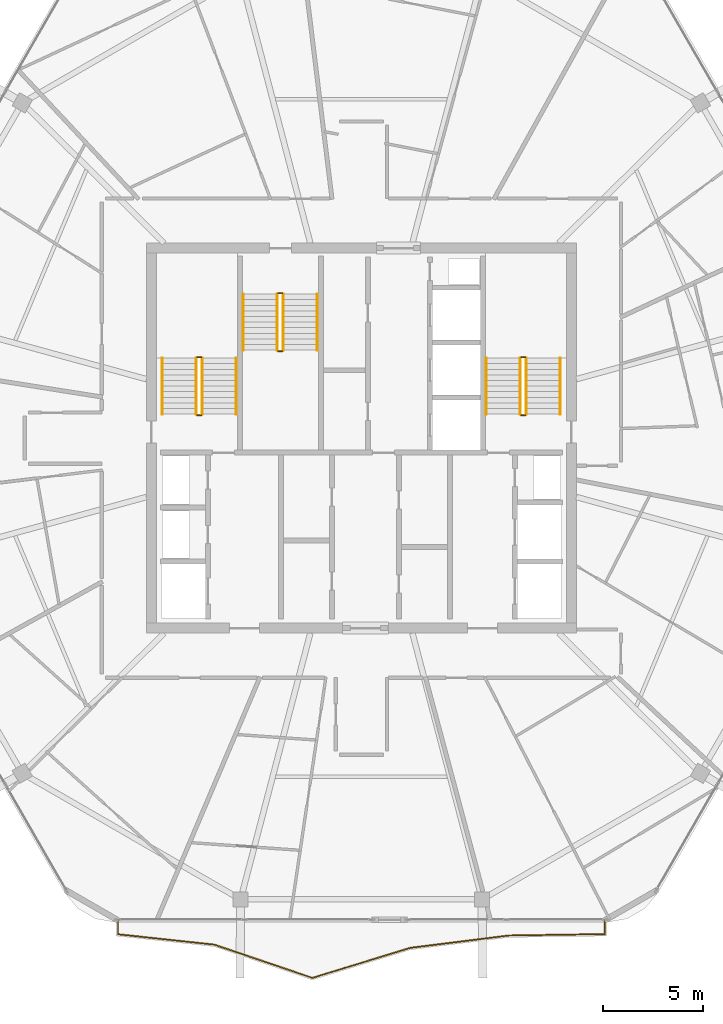
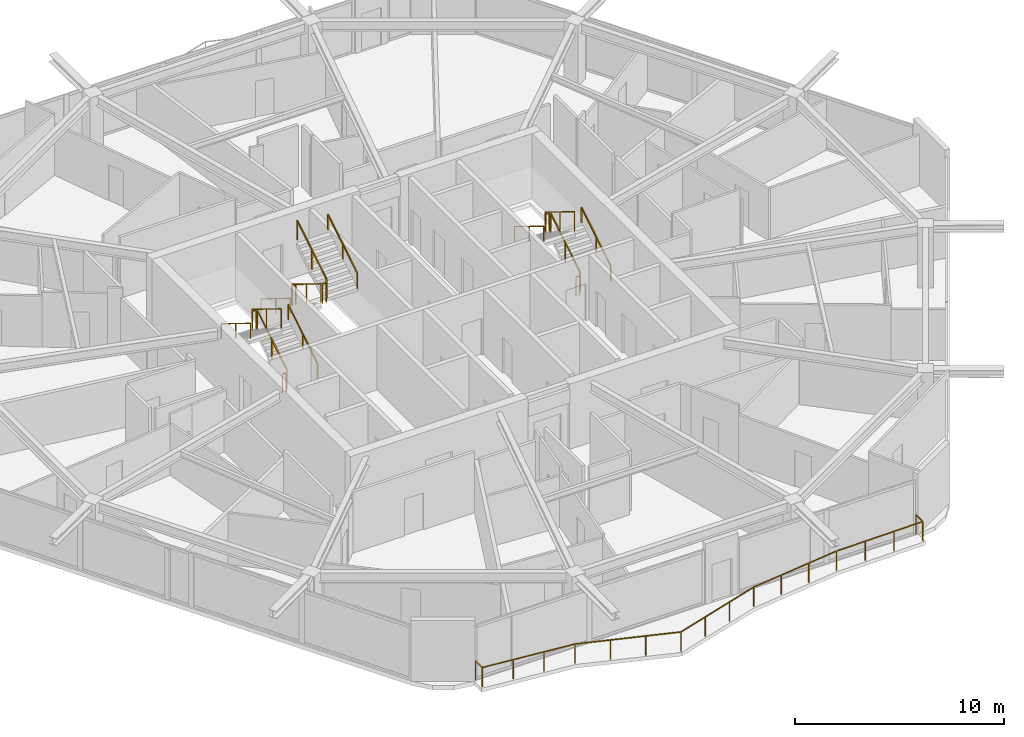
# One storey, part 20 of 21: 19 railings.
"""IFC4 building model written with IfcOpenShell, lengths in metres."""

from ifc_helpers import new_model, si_unit, direction, frame, origin, origin_2d, place, context, subcontext, project, spatial, rectangle, extrude, material, type_object, element, save


model = new_model("IFC4")

# Units and contexts
model_context = context("Model", 3, precision=1e-05, world=origin(), true_north=direction((0.0, 1.0)))
body_context = subcontext(model_context, "Body", "Model", "MODEL_VIEW")
ifc_project = project(units=[si_unit("LENGTHUNIT", "METRE"), si_unit("AREAUNIT", "SQUARE_METRE"), si_unit("VOLUMEUNIT", "CUBIC_METRE"), si_unit("PLANEANGLEUNIT", "RADIAN"), si_unit("MASSUNIT", "GRAM", prefix="KILO")], contexts=[model_context])

# Site, building, storey
site_placement = place(None, origin())
site = spatial("IfcSite", under=ifc_project, at=site_placement, CompositionType="ELEMENT")
building_placement = place(site_placement, origin())
building = spatial("IfcBuilding", under=site, at=building_placement, Name="Zuhravey Tower", CompositionType="ELEMENT")
storey_placement = place(building_placement, frame((0.0, 0.0, 334.800048828125)))
storey = spatial("IfcBuildingStorey", under=building, at=storey_placement, Name="L85", CompositionType="ELEMENT", Elevation=334.800048828125)

# Railings
ifc_material_1 = material(Name="Stainless steel 316 and laminated glass", Category="steel")
railing_type_1 = type_object("IfcRailingType", Name="Balcony & Terrace Guardrail 1150", PredefinedType="BALUSTRADE", material=ifc_material_1)
railing_1_placement = place(storey_placement, frame((48.168212890625, 7.8408203125, 0.0)))
element("IfcRailing", 1, at=railing_1_placement, inside=storey, type_object=railing_type_1, Name="L85 Face 5 Wave Balcony Guardrail GR1", PredefinedType="BALUSTRADE", context=body_context, shape_type="SweptSolid", body=[
    extrude(rectangle(XDim=0.048095703125, YDim=0.048095703125, at=origin_2d()), frame((0.0, -0.001953125, 1.1259765625), z_axis=(0.0, -1.0, 0.0), x_axis=(1.0, 0.0, 0.0)), (0.0, 0.0, 1.0), 0.637451171875),
    extrude(rectangle(XDim=0.048095703125, YDim=0.048095703125, at=origin_2d()), frame((-0.001953125, -0.641357421875, 1.1259765625), z_axis=(-0.999888115128, -0.01495851686, 0.0), x_axis=(0.01495851686, -0.999888115128, 0.0)), (0.0, 0.0, 1.0), 4.810791015625),
    extrude(rectangle(XDim=0.048095703125, YDim=0.048095703125, at=origin_2d()), frame((-4.816162109375, -0.713623046875, 1.1259765625), z_axis=(-0.992197400803, -0.124676853668, 0.0), x_axis=(0.124676853668, -0.992197400803, 0.0)), (0.0, 0.0, 1.0), 4.9560546875),
    extrude(rectangle(XDim=0.048095703125, YDim=0.048095703125, at=origin_2d()), frame((-9.737548828125, -1.332275390625, 1.1259765625), z_axis=(-0.955940026792, -0.29356202952, 0.0), x_axis=(0.29356202952, -0.955940026792, 0.0)), (0.0, 0.0, 1.0), 5.105712890625),
    extrude(rectangle(XDim=0.048095703125, YDim=0.048095703125, at=origin_2d()), frame((-14.6220703125, -2.8310546875, 1.1259765625), z_axis=(-0.94680329999, 0.321812851091, 0.0), x_axis=(-0.321812851091, -0.94680329999, 0.0)), (0.0, 0.0, 1.0), 5.15771484375),
    extrude(rectangle(XDim=0.048095703125, YDim=0.048095703125, at=origin_2d()), frame((-19.50927734375, -1.17041015625, 1.1259765625), z_axis=(-0.994241257087, 0.10716493226, 0.0), x_axis=(-0.10716493226, -0.994241257087, 0.0)), (0.0, 0.0, 1.0), 4.85302734375),
    extrude(rectangle(XDim=0.048095703125, YDim=0.048095703125, at=origin_2d()), frame((-24.33642578125, -0.648193359375, 1.1259765625), z_axis=(0.0, 1.0, 0.0), x_axis=(-1.0, 0.0, 0.0)), (0.0, 0.0, 1.0), 0.646240234375),
    extrude(rectangle(XDim=0.0419921875, YDim=0.0419921875, at=origin_2d()), origin(), (0.0, 0.0, 1.0), 1.099853515625),
    extrude(rectangle(XDim=0.0419921875, YDim=0.0419921875, at=origin_2d()), frame((0.0, -0.641357421875, 0.0)), (0.0, 0.0, 1.0), 1.099853515625),
    extrude(rectangle(XDim=0.0419921875, YDim=0.0419921875, at=origin_2d()), frame((-1.604736328125, -0.665283203125, 0.0)), (0.0, 0.0, 1.0), 1.099853515625),
    extrude(rectangle(XDim=0.0419921875, YDim=0.0419921875, at=origin_2d()), frame((-3.20947265625, -0.689453125, 0.0)), (0.0, 0.0, 1.0), 1.099853515625),
    extrude(rectangle(XDim=0.0419921875, YDim=0.0419921875, at=origin_2d()), frame((-4.814208984375, -0.71337890625, 0.0)), (0.0, 0.0, 1.0), 1.099853515625),
    extrude(rectangle(XDim=0.0419921875, YDim=0.0419921875, at=origin_2d()), frame((-6.45458984375, -0.91943359375, 0.0)), (0.0, 0.0, 1.0), 1.099853515625),
    extrude(rectangle(XDim=0.0419921875, YDim=0.0419921875, at=origin_2d()), frame((-8.09521484375, -1.125732421875, 0.0)), (0.0, 0.0, 1.0), 1.099853515625),
    extrude(rectangle(XDim=0.0419921875, YDim=0.0419921875, at=origin_2d()), frame((-9.735595703125, -1.331787109375, 0.0)), (0.0, 0.0, 1.0), 1.099853515625),
    extrude(rectangle(XDim=0.0419921875, YDim=0.0419921875, at=origin_2d()), frame((-11.36376953125, -1.831787109375, 0.0)), (0.0, 0.0, 1.0), 1.099853515625),
    extrude(rectangle(XDim=0.0419921875, YDim=0.0419921875, at=origin_2d()), frame((-12.991943359375, -2.331787109375, 0.0)), (0.0, 0.0, 1.0), 1.099853515625),
    extrude(rectangle(XDim=0.0419921875, YDim=0.0419921875, at=origin_2d()), frame((-14.6201171875, -2.831787109375, 0.0)), (0.0, 0.0, 1.0), 1.099853515625),
    extrude(rectangle(XDim=0.0419921875, YDim=0.0419921875, at=origin_2d()), frame((-16.249267578125, -2.278076171875, 0.0)), (0.0, 0.0, 1.0), 1.099853515625),
    extrude(rectangle(XDim=0.0419921875, YDim=0.0419921875, at=origin_2d()), frame((-17.878173828125, -1.724365234375, 0.0)), (0.0, 0.0, 1.0), 1.099853515625),
    extrude(rectangle(XDim=0.0419921875, YDim=0.0419921875, at=origin_2d()), frame((-19.50732421875, -1.170654296875, 0.0)), (0.0, 0.0, 1.0), 1.099853515625),
    extrude(rectangle(XDim=0.0419921875, YDim=0.0419921875, at=origin_2d()), frame((-21.116943359375, -0.9970703125, 0.0)), (0.0, 0.0, 1.0), 1.099853515625),
    extrude(rectangle(XDim=0.0419921875, YDim=0.0419921875, at=origin_2d()), frame((-22.726806640625, -0.82373046875, 0.0)), (0.0, 0.0, 1.0), 1.099853515625),
    extrude(rectangle(XDim=0.0419921875, YDim=0.0419921875, at=origin_2d()), frame((-24.33642578125, -0.650146484375, 0.0)), (0.0, 0.0, 1.0), 1.099853515625),
    extrude(rectangle(XDim=0.0419921875, YDim=0.0419921875, at=origin_2d()), frame((-24.33642578125, 0.0, 0.0)), (0.0, 0.0, 1.0), 1.099853515625),
])
ifc_material_2 = material(Name="Brushed stainless steel", Category="steel")
railing_type_2 = type_object("IfcRailingType", Name="Stair Wall Handrail 900", PredefinedType="HANDRAIL", material=ifc_material_2)
railing_2_placement = place(storey_placement, frame((29.75, 33.199951171875, 0.172607421875)))
element("IfcRailing", 2, at=railing_2_placement, inside=storey, type_object=railing_type_2, Name="L85 ST1 stair handrail 1", PredefinedType="HANDRAIL", context=body_context, shape_type="SweptSolid", body=[
    extrude(rectangle(XDim=0.048095703125, YDim=0.048095703125, at=origin_2d()), frame((0.0, 0.001708984375, 0.876953125), z_axis=(0.0, 0.851089632645, 0.525020415988), x_axis=(-1.0, 0.0, 0.0)), (0.0, 0.0, 1.0), 3.285888671875),
    extrude(rectangle(XDim=0.0419921875, YDim=0.0419921875, at=origin_2d()), origin(), (0.0, 0.0, 1.0), 0.849853515625),
    extrude(rectangle(XDim=0.0419921875, YDim=0.0419921875, at=origin_2d()), frame((0.0, 1.39990234375, 0.86376953125)), (0.0, 0.0, 1.0), 0.849853515625),
    extrude(rectangle(XDim=0.0419921875, YDim=0.0419921875, at=origin_2d()), frame((0.0, 2.800048828125, 1.727294921875)), (0.0, 0.0, 1.0), 0.849853515625),
])
railing_3_placement = place(storey_placement, frame((26.050048828125, 36.0, 2.07275390625)))
element("IfcRailing", 3, at=railing_3_placement, inside=storey, type_object=railing_type_2, Name="L85 ST1 stair handrail 2", PredefinedType="HANDRAIL", context=body_context, shape_type="SweptSolid", body=[
    extrude(rectangle(XDim=0.048095703125, YDim=0.048095703125, at=origin_2d()), frame((0.0, -0.001708984375, 0.876953125), z_axis=(0.0, -0.851089632645, 0.525020415988), x_axis=(1.0, 0.0, 0.0)), (0.0, 0.0, 1.0), 3.285888671875),
    extrude(rectangle(XDim=0.0419921875, YDim=0.0419921875, at=origin_2d()), origin(), (0.0, 0.0, 1.0), 0.849853515625),
    extrude(rectangle(XDim=0.0419921875, YDim=0.0419921875, at=origin_2d()), frame((0.0, -1.39990234375, 0.86376953125)), (0.0, 0.0, 1.0), 0.849853515625),
    extrude(rectangle(XDim=0.0419921875, YDim=0.0419921875, at=origin_2d()), frame((0.0, -2.800048828125, 1.727294921875)), (0.0, 0.0, 1.0), 0.849853515625),
])
railing_4_placement = place(storey_placement, frame((45.949951171875, 33.199951171875, 0.172607421875)))
element("IfcRailing", 4, at=railing_4_placement, inside=storey, type_object=railing_type_2, Name="L85 ST2 stair handrail 1", PredefinedType="HANDRAIL", context=body_context, shape_type="SweptSolid", body=[
    extrude(rectangle(XDim=0.048095703125, YDim=0.048095703125, at=origin_2d()), frame((0.0, 0.001708984375, 0.876953125), z_axis=(0.0, 0.851089632645, 0.525020415988), x_axis=(-1.0, 0.0, 0.0)), (0.0, 0.0, 1.0), 3.285888671875),
    extrude(rectangle(XDim=0.0419921875, YDim=0.0419921875, at=origin_2d()), origin(), (0.0, 0.0, 1.0), 0.849853515625),
    extrude(rectangle(XDim=0.0419921875, YDim=0.0419921875, at=origin_2d()), frame((0.0, 1.39990234375, 0.86376953125)), (0.0, 0.0, 1.0), 0.849853515625),
    extrude(rectangle(XDim=0.0419921875, YDim=0.0419921875, at=origin_2d()), frame((0.0, 2.800048828125, 1.727294921875)), (0.0, 0.0, 1.0), 0.849853515625),
])
for number, where, name in (
    (5, (42.25, 36.0, 2.07275390625), "L85 ST2 stair handrail 2"),
    (6, (30.10009765625, 39.199951171875, 0.172607421875), "L85 ST3 stair handrail 1"),
):
    element("IfcRailing", number, at=place(storey_placement, frame(where)), inside=storey, type_object=railing_type_2, Name=name, PredefinedType="HANDRAIL", context=body_context, shape_type="SweptSolid", body=[
        extrude(rectangle(XDim=0.048095703125, YDim=0.048095703125, at=origin_2d()), frame((0.0, -0.001708984375, 0.876953125), z_axis=(0.0, -0.851089632645, 0.525020415988), x_axis=(1.0, 0.0, 0.0)), (0.0, 0.0, 1.0), 3.285888671875),
        extrude(rectangle(XDim=0.0419921875, YDim=0.0419921875, at=origin_2d()), origin(), (0.0, 0.0, 1.0), 0.849853515625),
        extrude(rectangle(XDim=0.0419921875, YDim=0.0419921875, at=origin_2d()), frame((0.0, -1.39990234375, 0.86376953125)), (0.0, 0.0, 1.0), 0.849853515625),
        extrude(rectangle(XDim=0.0419921875, YDim=0.0419921875, at=origin_2d()), frame((0.0, -2.800048828125, 1.727294921875)), (0.0, 0.0, 1.0), 0.849853515625),
    ])
railing_5_placement = place(storey_placement, frame((33.800048828125, 36.39990234375, 2.07275390625)))
element("IfcRailing", 7, at=railing_5_placement, inside=storey, type_object=railing_type_2, Name="L85 ST3 stair handrail 2", PredefinedType="HANDRAIL", context=body_context, shape_type="SweptSolid", body=[
    extrude(rectangle(XDim=0.048095703125, YDim=0.048095703125, at=origin_2d()), frame((0.0, 0.001708984375, 0.876953125), z_axis=(0.0, 0.851089632645, 0.525020415988), x_axis=(-1.0, 0.0, 0.0)), (0.0, 0.0, 1.0), 3.285888671875),
    extrude(rectangle(XDim=0.0419921875, YDim=0.0419921875, at=origin_2d()), origin(), (0.0, 0.0, 1.0), 0.849853515625),
    extrude(rectangle(XDim=0.0419921875, YDim=0.0419921875, at=origin_2d()), frame((0.0, 1.39990234375, 0.86376953125)), (0.0, 0.0, 1.0), 0.849853515625),
    extrude(rectangle(XDim=0.0419921875, YDim=0.0419921875, at=origin_2d()), frame((0.0, 2.800048828125, 1.727294921875)), (0.0, 0.0, 1.0), 0.849853515625),
])
ifc_material_3 = material(Name="Painted tubular steel", Category="steel")
railing_type_3 = type_object("IfcRailingType", Name="Stair Well Guardrail 1150", PredefinedType="GUARDRAIL", material=ifc_material_3)
railing_6_placement = place(storey_placement, frame((28.050048828125, 33.199951171875, 0.172607421875)))
element("IfcRailing", 8, at=railing_6_placement, inside=storey, type_object=railing_type_3, Name="L85 ST1 stair guard 1", PredefinedType="GUARDRAIL", context=body_context, shape_type="SweptSolid", body=[
    extrude(rectangle(XDim=0.048095703125, YDim=0.048095703125, at=origin_2d()), frame((0.0, 0.001708984375, 1.126953125), z_axis=(0.0, 0.851089632645, 0.525020415988), x_axis=(-1.0, 0.0, 0.0)), (0.0, 0.0, 1.0), 3.285888671875),
    extrude(rectangle(XDim=0.0419921875, YDim=0.0419921875, at=origin_2d()), origin(), (0.0, 0.0, 1.0), 1.099853515625),
    extrude(rectangle(XDim=0.0419921875, YDim=0.0419921875, at=origin_2d()), frame((0.0, 1.39990234375, 0.86376953125)), (0.0, 0.0, 1.0), 1.099853515625),
    extrude(rectangle(XDim=0.0419921875, YDim=0.0419921875, at=origin_2d()), frame((0.0, 2.800048828125, 1.727294921875)), (0.0, 0.0, 1.0), 1.099853515625),
])
railing_7_placement = place(storey_placement, frame((28.0, 36.050048828125, 1.89990234375)))
element("IfcRailing", 9, at=railing_7_placement, inside=storey, type_object=railing_type_3, Name="L85 ST1 stair guard 2", PredefinedType="GUARDRAIL", context=body_context, shape_type="SweptSolid", body=[
    extrude(rectangle(XDim=0.048095703125, YDim=0.048095703125, at=origin_2d()), frame((-0.001953125, 0.0, 1.1259765625), z_axis=(-1.0, 0.0, 0.0), x_axis=(0.0, -1.0, 0.0)), (0.0, 0.0, 1.0), 0.196044921875),
    extrude(rectangle(XDim=0.0419921875, YDim=0.0419921875, at=origin_2d()), origin(), (0.0, 0.0, 1.0), 1.099853515625),
    extrude(rectangle(XDim=0.0419921875, YDim=0.0419921875, at=origin_2d()), frame((-0.199951171875, 0.0, 0.0)), (0.0, 0.0, 1.0), 1.099853515625),
])
railing_8_placement = place(storey_placement, frame((27.75, 36.0, 2.07275390625)))
element("IfcRailing", 10, at=railing_8_placement, inside=storey, type_object=railing_type_3, Name="L85 ST1 stair guard 3", PredefinedType="GUARDRAIL", context=body_context, shape_type="SweptSolid", body=[
    extrude(rectangle(XDim=0.048095703125, YDim=0.048095703125, at=origin_2d()), frame((0.0, -0.001708984375, 1.126953125), z_axis=(0.0, -0.851089632645, 0.525020415988), x_axis=(1.0, 0.0, 0.0)), (0.0, 0.0, 1.0), 3.285888671875),
    extrude(rectangle(XDim=0.0419921875, YDim=0.0419921875, at=origin_2d()), origin(), (0.0, 0.0, 1.0), 1.099853515625),
    extrude(rectangle(XDim=0.0419921875, YDim=0.0419921875, at=origin_2d()), frame((0.0, -1.39990234375, 0.86376953125)), (0.0, 0.0, 1.0), 1.099853515625),
    extrude(rectangle(XDim=0.0419921875, YDim=0.0419921875, at=origin_2d()), frame((0.0, -2.800048828125, 1.727294921875)), (0.0, 0.0, 1.0), 1.099853515625),
])
railing_9_placement = place(storey_placement, frame((28.0, 33.14990234375, 0.0)))
element("IfcRailing", 11, at=railing_9_placement, inside=storey, type_object=railing_type_3, Name="L85 ST1 stair guard 4", PredefinedType="GUARDRAIL", context=body_context, shape_type="SweptSolid", body=[
    extrude(rectangle(XDim=0.048095703125, YDim=0.048095703125, at=origin_2d()), frame((-0.001953125, 0.0, 1.1259765625), z_axis=(-1.0, 0.0, 0.0), x_axis=(0.0, -1.0, 0.0)), (0.0, 0.0, 1.0), 0.196044921875),
    extrude(rectangle(XDim=0.0419921875, YDim=0.0419921875, at=origin_2d()), origin(), (0.0, 0.0, 1.0), 1.099853515625),
    extrude(rectangle(XDim=0.0419921875, YDim=0.0419921875, at=origin_2d()), frame((-0.199951171875, 0.0, 0.0)), (0.0, 0.0, 1.0), 1.099853515625),
])
railing_10_placement = place(storey_placement, frame((44.25, 33.199951171875, 0.172607421875)))
element("IfcRailing", 12, at=railing_10_placement, inside=storey, type_object=railing_type_3, Name="L85 ST2 stair guard 1", PredefinedType="GUARDRAIL", context=body_context, shape_type="SweptSolid", body=[
    extrude(rectangle(XDim=0.048095703125, YDim=0.048095703125, at=origin_2d()), frame((0.0, 0.001708984375, 1.126953125), z_axis=(0.0, 0.851089632645, 0.525020415988), x_axis=(-1.0, 0.0, 0.0)), (0.0, 0.0, 1.0), 3.285888671875),
    extrude(rectangle(XDim=0.0419921875, YDim=0.0419921875, at=origin_2d()), origin(), (0.0, 0.0, 1.0), 1.099853515625),
    extrude(rectangle(XDim=0.0419921875, YDim=0.0419921875, at=origin_2d()), frame((0.0, 1.39990234375, 0.86376953125)), (0.0, 0.0, 1.0), 1.099853515625),
    extrude(rectangle(XDim=0.0419921875, YDim=0.0419921875, at=origin_2d()), frame((0.0, 2.800048828125, 1.727294921875)), (0.0, 0.0, 1.0), 1.099853515625),
])
railing_11_placement = place(storey_placement, frame((44.199951171875, 36.050048828125, 1.89990234375)))
element("IfcRailing", 13, at=railing_11_placement, inside=storey, type_object=railing_type_3, Name="L85 ST2 stair guard 2", PredefinedType="GUARDRAIL", context=body_context, shape_type="SweptSolid", body=[
    extrude(rectangle(XDim=0.048095703125, YDim=0.048095703125, at=origin_2d()), frame((-0.001953125, 0.0, 1.1259765625), z_axis=(-1.0, 0.0, 0.0), x_axis=(0.0, -1.0, 0.0)), (0.0, 0.0, 1.0), 0.196044921875),
    extrude(rectangle(XDim=0.0419921875, YDim=0.0419921875, at=origin_2d()), origin(), (0.0, 0.0, 1.0), 1.099853515625),
    extrude(rectangle(XDim=0.0419921875, YDim=0.0419921875, at=origin_2d()), frame((-0.199951171875, 0.0, 0.0)), (0.0, 0.0, 1.0), 1.099853515625),
])
railing_12_placement = place(storey_placement, frame((43.949951171875, 36.0, 2.07275390625)))
element("IfcRailing", 14, at=railing_12_placement, inside=storey, type_object=railing_type_3, Name="L85 ST2 stair guard 3", PredefinedType="GUARDRAIL", context=body_context, shape_type="SweptSolid", body=[
    extrude(rectangle(XDim=0.048095703125, YDim=0.048095703125, at=origin_2d()), frame((0.0, -0.001708984375, 1.126953125), z_axis=(0.0, -0.851089632645, 0.525020415988), x_axis=(1.0, 0.0, 0.0)), (0.0, 0.0, 1.0), 3.285888671875),
    extrude(rectangle(XDim=0.0419921875, YDim=0.0419921875, at=origin_2d()), origin(), (0.0, 0.0, 1.0), 1.099853515625),
    extrude(rectangle(XDim=0.0419921875, YDim=0.0419921875, at=origin_2d()), frame((0.0, -1.39990234375, 0.86376953125)), (0.0, 0.0, 1.0), 1.099853515625),
    extrude(rectangle(XDim=0.0419921875, YDim=0.0419921875, at=origin_2d()), frame((0.0, -2.800048828125, 1.727294921875)), (0.0, 0.0, 1.0), 1.099853515625),
])
railing_13_placement = place(storey_placement, frame((44.199951171875, 33.14990234375, 0.0)))
element("IfcRailing", 15, at=railing_13_placement, inside=storey, type_object=railing_type_3, Name="L85 ST2 stair guard 4", PredefinedType="GUARDRAIL", context=body_context, shape_type="SweptSolid", body=[
    extrude(rectangle(XDim=0.048095703125, YDim=0.048095703125, at=origin_2d()), frame((-0.001953125, 0.0, 1.1259765625), z_axis=(-1.0, 0.0, 0.0), x_axis=(0.0, -1.0, 0.0)), (0.0, 0.0, 1.0), 0.196044921875),
    extrude(rectangle(XDim=0.0419921875, YDim=0.0419921875, at=origin_2d()), origin(), (0.0, 0.0, 1.0), 1.099853515625),
    extrude(rectangle(XDim=0.0419921875, YDim=0.0419921875, at=origin_2d()), frame((-0.199951171875, 0.0, 0.0)), (0.0, 0.0, 1.0), 1.099853515625),
])
railing_14_placement = place(storey_placement, frame((31.800048828125, 39.199951171875, 0.172607421875)))
element("IfcRailing", 16, at=railing_14_placement, inside=storey, type_object=railing_type_3, Name="L85 ST3 stair guard 1", PredefinedType="GUARDRAIL", context=body_context, shape_type="SweptSolid", body=[
    extrude(rectangle(XDim=0.048095703125, YDim=0.048095703125, at=origin_2d()), frame((0.0, -0.001708984375, 1.126953125), z_axis=(0.0, -0.851089632645, 0.525020415988), x_axis=(1.0, 0.0, 0.0)), (0.0, 0.0, 1.0), 3.285888671875),
    extrude(rectangle(XDim=0.0419921875, YDim=0.0419921875, at=origin_2d()), origin(), (0.0, 0.0, 1.0), 1.099853515625),
    extrude(rectangle(XDim=0.0419921875, YDim=0.0419921875, at=origin_2d()), frame((0.0, -1.39990234375, 0.86376953125)), (0.0, 0.0, 1.0), 1.099853515625),
    extrude(rectangle(XDim=0.0419921875, YDim=0.0419921875, at=origin_2d()), frame((0.0, -2.800048828125, 1.727294921875)), (0.0, 0.0, 1.0), 1.099853515625),
])
railing_15_placement = place(storey_placement, frame((31.85009765625, 36.35009765625, 1.89990234375)))
element("IfcRailing", 17, at=railing_15_placement, inside=storey, type_object=railing_type_3, Name="L85 ST3 stair guard 2", PredefinedType="GUARDRAIL", context=body_context, shape_type="SweptSolid", body=[
    extrude(rectangle(XDim=0.048095703125, YDim=0.048095703125, at=origin_2d()), frame((0.001953125, 0.0, 1.1259765625), z_axis=(1.0, 0.0, 0.0), x_axis=(0.0, 1.0, 0.0)), (0.0, 0.0, 1.0), 0.196044921875),
    extrude(rectangle(XDim=0.0419921875, YDim=0.0419921875, at=origin_2d()), origin(), (0.0, 0.0, 1.0), 1.099853515625),
    extrude(rectangle(XDim=0.0419921875, YDim=0.0419921875, at=origin_2d()), frame((0.199951171875, 0.0, 0.0)), (0.0, 0.0, 1.0), 1.099853515625),
])
railing_16_placement = place(storey_placement, frame((32.10009765625, 36.39990234375, 2.07275390625)))
element("IfcRailing", 18, at=railing_16_placement, inside=storey, type_object=railing_type_3, Name="L85 ST3 stair guard 3", PredefinedType="GUARDRAIL", context=body_context, shape_type="SweptSolid", body=[
    extrude(rectangle(XDim=0.048095703125, YDim=0.048095703125, at=origin_2d()), frame((0.0, 0.001708984375, 1.126953125), z_axis=(0.0, 0.851089632645, 0.525020415988), x_axis=(-1.0, 0.0, 0.0)), (0.0, 0.0, 1.0), 3.285888671875),
    extrude(rectangle(XDim=0.0419921875, YDim=0.0419921875, at=origin_2d()), origin(), (0.0, 0.0, 1.0), 1.099853515625),
    extrude(rectangle(XDim=0.0419921875, YDim=0.0419921875, at=origin_2d()), frame((0.0, 1.39990234375, 0.86376953125)), (0.0, 0.0, 1.0), 1.099853515625),
    extrude(rectangle(XDim=0.0419921875, YDim=0.0419921875, at=origin_2d()), frame((0.0, 2.800048828125, 1.727294921875)), (0.0, 0.0, 1.0), 1.099853515625),
])
railing_17_placement = place(storey_placement, frame((31.85009765625, 39.25, 0.0)))
element("IfcRailing", 19, at=railing_17_placement, inside=storey, type_object=railing_type_3, Name="L85 ST3 stair guard 4", PredefinedType="GUARDRAIL", context=body_context, shape_type="SweptSolid", body=[
    extrude(rectangle(XDim=0.048095703125, YDim=0.048095703125, at=origin_2d()), frame((0.001953125, 0.0, 1.1259765625), z_axis=(1.0, 0.0, 0.0), x_axis=(0.0, 1.0, 0.0)), (0.0, 0.0, 1.0), 0.196044921875),
    extrude(rectangle(XDim=0.0419921875, YDim=0.0419921875, at=origin_2d()), origin(), (0.0, 0.0, 1.0), 1.099853515625),
    extrude(rectangle(XDim=0.0419921875, YDim=0.0419921875, at=origin_2d()), frame((0.199951171875, 0.0, 0.0)), (0.0, 0.0, 1.0), 1.099853515625),
])

save(model, "model.ifc")
